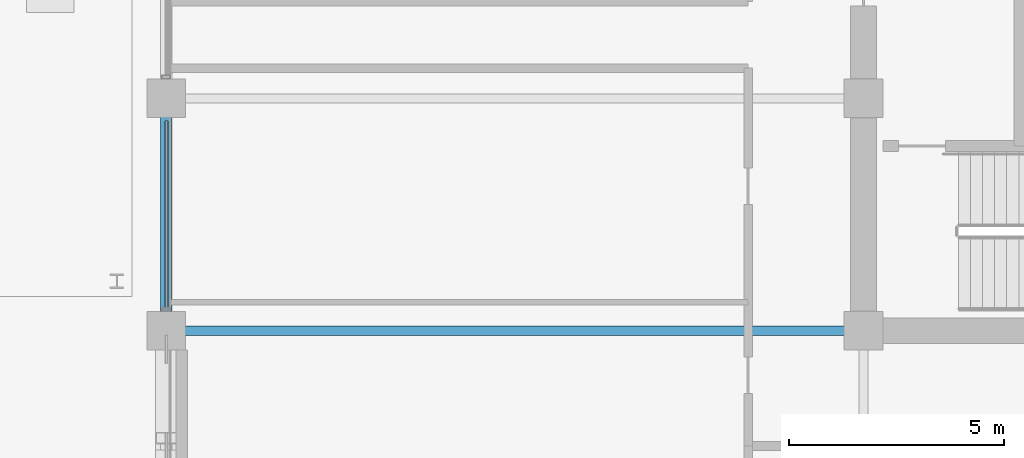
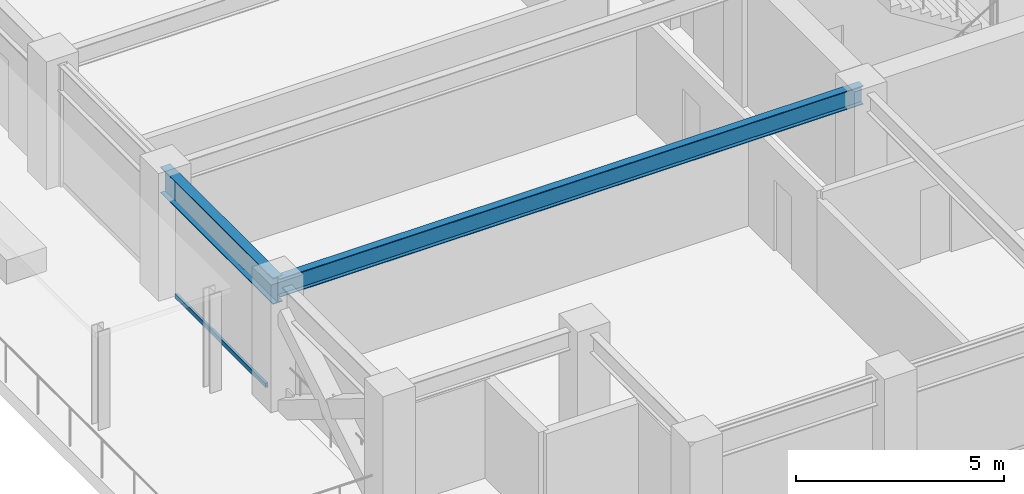
# One storey, part 4 of 36: 2 beams, 1 member, 1 element without a shape of its own.
"""IFC4 building model written with IfcOpenShell, lengths in metres."""

from ifc_helpers import new_model, si_unit, direction, frame, origin, origin_2d, place, context, subcontext, project, spatial, hollow_rectangle, i_section, extrude, material, layer, layer_set, material_profile, profile_set, type_object, element, aggregate, save


model = new_model("IFC4")

# Units and contexts
model_context = context("Model", 3, precision=1e-05, world=origin(), true_north=direction((0.0, 1.0)))
body_context = subcontext(model_context, "Body", "Model", "MODEL_VIEW")
ifc_project = project(units=[si_unit("LENGTHUNIT", "METRE"), si_unit("AREAUNIT", "SQUARE_METRE"), si_unit("VOLUMEUNIT", "CUBIC_METRE"), si_unit("PLANEANGLEUNIT", "RADIAN"), si_unit("MASSUNIT", "GRAM", prefix="KILO")], contexts=[model_context])

# Site, building, storey
site_placement = place(None, origin())
site = spatial("IfcSite", under=ifc_project, at=site_placement, CompositionType="ELEMENT")
building_placement = place(site_placement, origin())
building = spatial("IfcBuilding", under=site, at=building_placement, Name="Surkhivell Harbour Commons", CompositionType="ELEMENT")
storey_placement = place(building_placement, frame((0.0, 0.0, 171.0)))
storey = spatial("IfcBuildingStorey", under=building, at=storey_placement, Name="L44", CompositionType="ELEMENT", Elevation=171.0)

# Beams
ifc_material_1 = material(Name="Steel S355", Category="steel")
ifc_material_profile_1 = material_profile(ifc_material_1, i_section(OverallWidth=0.2119140625, OverallDepth=0.5439453125, WebThickness=0.0126953125, FlangeThickness=0.021240234375, at=origin_2d()), Name="UB533x210x122")
ifc_profile_set_1 = profile_set([ifc_material_profile_1], Name="Steel S355")
beam_type_1 = type_object("IfcBeamType", Name="BM-GRD-533A", PredefinedType="BEAM", material=ifc_profile_set_1)
beam_1_placement = place(storey_placement, frame((-27.0, -10.800048828125, 3.298095703125), z_axis=(1.0, 0.0, 0.0), x_axis=(0.0, 1.0, 0.0)))
element("IfcBeam", 1, at=beam_1_placement, inside=storey, type_object=beam_type_1, Name="L44 Floor Girder (-27.0,-10.8)", PredefinedType="BEAM", context=body_context, shape_type="SweptSolid", body=[
    extrude(i_section(OverallWidth=0.2119140625, OverallDepth=0.5439453125, WebThickness=0.0126953125, FlangeThickness=0.021240234375, at=origin_2d()), origin(), (0.0, 0.0, 1.0), 16.199951171875),
])
ifc_material_profile_2 = material_profile(ifc_material_1, i_section(OverallWidth=0.26806640625, OverallDepth=0.77001953125, WebThickness=0.015625, FlangeThickness=0.025390625, at=origin_2d()), Name="UB762x267x197")
ifc_profile_set_2 = profile_set([ifc_material_profile_2], Name="Steel S355")
beam_type_2 = type_object("IfcBeamType", Name="BM-SPN-762", PredefinedType="SPANDREL", material=ifc_profile_set_2)
beam_2_placement = place(storey_placement, frame((-27.0, -10.800048828125, 3.18505859375), z_axis=(0.0, 1.0, 0.0), x_axis=(-1.0, 0.0, 0.0)))
element("IfcBeam", 2, at=beam_2_placement, inside=storey, type_object=beam_type_2, Name="L44 Tube Spandrel (-27.0,-10.8)", PredefinedType="SPANDREL", context=body_context, shape_type="SweptSolid", body=[
    extrude(i_section(OverallWidth=0.26806640625, OverallDepth=0.77001953125, WebThickness=0.015625, FlangeThickness=0.025390625, at=origin_2d()), origin(), (0.0, 0.0, 1.0), 5.400146484375),
])

# Curtain wall, member
ifc_material_2 = material(Name="Anodised pale-metal aluminium and insulated glazing", Category="aluminium")
ifc_layer = layer(ifc_material_2, 0.18994140625)
ifc_layer_set = layer_set([ifc_layer], Name="Anodised pale-metal aluminium and insulated glazing")
curtain_wall_type = type_object("IfcCurtainWallType", Name="CW-SYS-Z3", PredefinedType="NOTDEFINED", material=ifc_layer_set)
curtain_wall_placement = place(storey_placement, origin())
curtain_wall = element("IfcCurtainWall", 3, at=curtain_wall_placement, inside=storey, type_object=curtain_wall_type, Name="L44 Curtain Wall CW-L44-E12AS1", PredefinedType="NOTDEFINED")
ifc_material_3 = material(Name="Champagne anodised aluminium alloy 6063-T6", Category="aluminium")
ifc_material_profile_3 = material_profile(ifc_material_3, hollow_rectangle(XDim=0.070068359375, YDim=0.1298828125, WallThickness=0.00341796875, at=origin_2d()), Name="ALU-TRAN-70x130")
ifc_profile_set_3 = profile_set([ifc_material_profile_3], Name="Champagne anodised aluminium alloy 6063-T6")
member_type = type_object("IfcMemberType", Name="CWT-130", PredefinedType="USERDEFINED", material=ifc_profile_set_3)
member_placement = place(storey_placement, frame((-27.0, -10.27294921875, 0.06494140625), z_axis=(0.0, 1.0, 0.0), x_axis=(-1.0, 0.0, 0.0)))
member = element("IfcMember", 4, at=member_placement, type_object=member_type, Name="CW-Z3 transom 1.1", ObjectType="TRANSOM", PredefinedType="USERDEFINED", context=body_context, shape_type="SweptSolid", body=[
    extrude(hollow_rectangle(XDim=0.070068359375, YDim=0.1298828125, WallThickness=0.00341796875, at=origin_2d()), origin(), (0.0, 0.0, 1.0), 4.345947265625),
])
aggregate(curtain_wall, [member])

save(model, "model.ifc")
